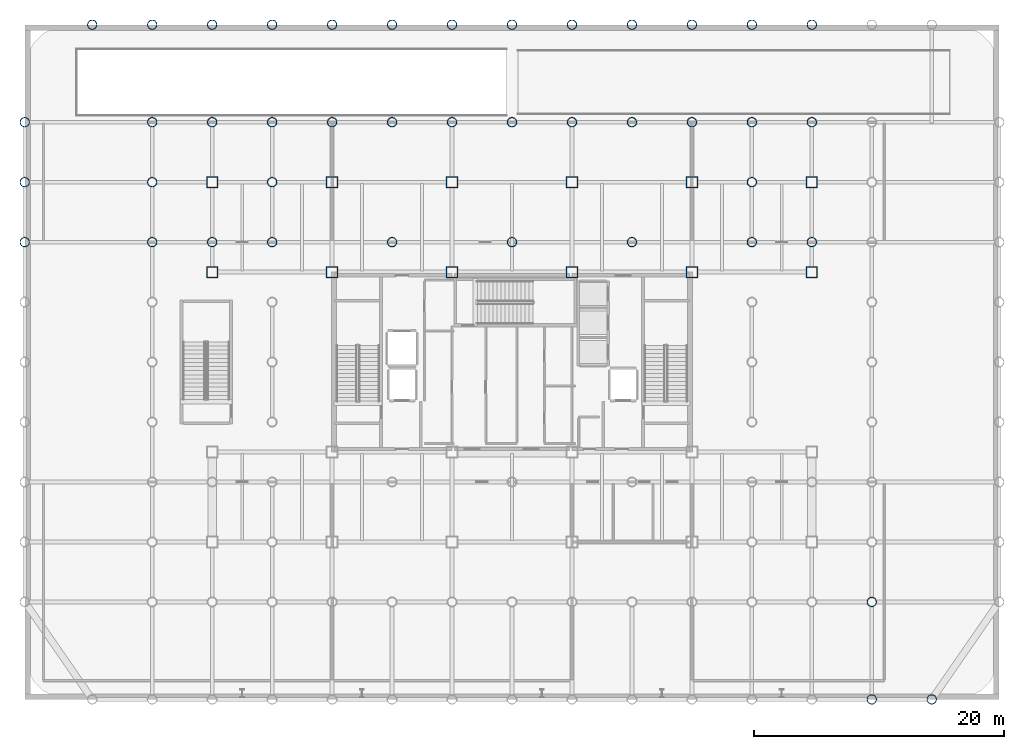
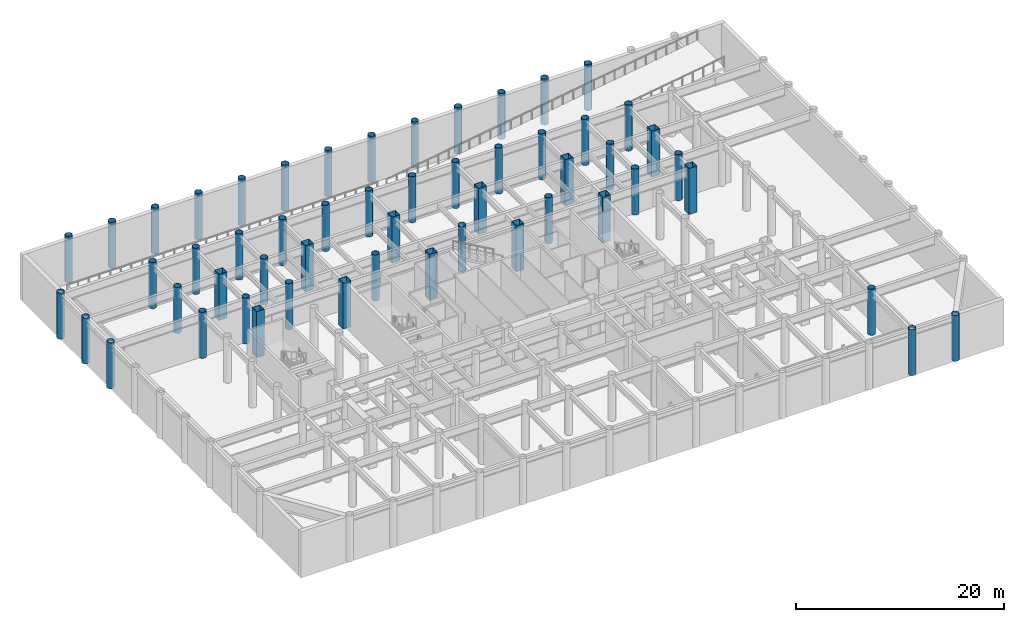
# One storey, part 3 of 16: 54 columns.
"""IFC4 building model written with IfcOpenShell, lengths in metres."""

from ifc_helpers import new_model, si_unit, direction, frame, origin, origin_2d, place, context, subcontext, project, spatial, hollow_rectangle, hollow_circle, extrude, material, material_profile, profile_set, type_object, element, save


model = new_model("IFC4")

# Units and contexts
model_context = context("Model", 3, precision=1e-05, world=origin(), true_north=direction((0.0, 1.0)))
body_context = subcontext(model_context, "Body", "Model", "MODEL_VIEW")
ifc_project = project(units=[si_unit("LENGTHUNIT", "METRE"), si_unit("AREAUNIT", "SQUARE_METRE"), si_unit("VOLUMEUNIT", "CUBIC_METRE"), si_unit("PLANEANGLEUNIT", "RADIAN"), si_unit("MASSUNIT", "GRAM", prefix="KILO")], contexts=[model_context])

# Site, building, storey
site_placement = place(None, origin())
site = spatial("IfcSite", under=ifc_project, at=site_placement, CompositionType="ELEMENT")
building_placement = place(site_placement, origin())
building = spatial("IfcBuilding", under=site, at=building_placement, Name="Kallvorn Hotel Tower", CompositionType="ELEMENT")
storey_placement = place(building_placement, frame((0.0, 0.0, -5.39990234375)))
storey = spatial("IfcBuildingStorey", under=building, at=storey_placement, Name="B1", CompositionType="ELEMENT", Elevation=-5.39990234375)

# Columns
ifc_material_1 = material(Name="Structural steel S355J2H", Category="steel")
ifc_material_profile_1 = material_profile(ifc_material_1, hollow_circle(Radius=0.381103515625, WallThickness=0.031982421875, at=origin_2d()), Name="CHS 762x32")
ifc_profile_set_1 = profile_set([ifc_material_profile_1], Name="Structural steel S355J2H")
column_type_1 = type_object("IfcColumnType", Name="COL_CHS_762", PredefinedType="COLUMN", material=ifc_profile_set_1)
for number, where, z_axis, x_axis, name in (
    (1, (-39.0, 9.60009765625, 0.0), (0.0, 0.0, 1.0), (1.0, 0.0, 0.0), "B1 Exoskeleton Column EC07"),
    (2, (-39.0, 14.39990234375, 0.0), (0.0, 0.0, 1.0), (1.0, 0.0, 0.0), "B1 Exoskeleton Column EC08"),
    (3, (-39.0, 19.199951171875, 0.0), (0.0, 0.0, 1.0), (1.0, 0.0, 0.0), "B1 Exoskeleton Column EC09"),
    (4, (-33.60009765625, 27.0, 0.0), (0.0, 0.0, 1.0), (1.0, 0.0, 0.0), "B1 Exoskeleton Column EC11"),
    (5, (-28.800048828125, 9.60009765625, 0.0), (0.0, 0.0, 1.0), (1.0, 0.0, 0.0), "B1 Exoskeleton Column EC19"),
    (6, (-28.800048828125, 14.39990234375, 0.0), (0.0, 0.0, 1.0), (1.0, 0.0, 0.0), "B1 Exoskeleton Column EC20"),
    (7, (-28.800048828125, 19.199951171875, 0.0), (0.0, 0.0, 1.0), (1.0, 0.0, 0.0), "B1 Exoskeleton Column EC21"),
    (8, (-28.800048828125, 27.0, 0.0), (0.0, 0.0, 1.0), (1.0, 0.0, 0.0), "B1 Exoskeleton Column EC22"),
    (9, (-24.0, 9.60009765625, 0.0), (0.0, 0.0, 1.0), (1.0, 0.0, 0.0), "B1 Exoskeleton Column EC26"),
    (10, (-24.0, 19.199951171875, 0.0), (0.0, 0.0, 1.0), (1.0, 0.0, 0.0), "B1 Exoskeleton Column EC27"),
    (11, (-24.0, 27.0, 0.0), (0.0, 0.0, 1.0), (1.0, 0.0, 0.0), "B1 Exoskeleton Column EC28"),
    (12, (-19.199951171875, 9.60009765625, 0.0), (0.0, 0.0, 1.0), (1.0, 0.0, 0.0), "B1 Exoskeleton Column EC36"),
    (13, (-19.199951171875, 14.39990234375, 0.0), (0.0, 0.0, 1.0), (1.0, 0.0, 0.0), "B1 Exoskeleton Column EC37"),
    (14, (-19.199951171875, 19.199951171875, 0.0), (0.0, 0.0, 1.0), (1.0, 0.0, 0.0), "B1 Exoskeleton Column EC38"),
    (15, (-19.199951171875, 27.0, 0.0), (0.0, 0.0, 1.0), (1.0, 0.0, 0.0), "B1 Exoskeleton Column EC39"),
    (16, (-14.39990234375, 19.199951171875, 0.0), (0.0, 0.0, 1.0), (1.0, 0.0, 0.0), "B1 Exoskeleton Column EC42"),
    (17, (-14.39990234375, 27.0, 0.0), (0.0, 0.0, 1.0), (1.0, 0.0, 0.0), "B1 Exoskeleton Column EC43"),
    (18, (-9.60009765625, 9.60009765625, 0.0), (0.0, 0.0, 1.0), (1.0, 0.0, 0.0), "B1 Exoskeleton Column EC47"),
    (19, (-9.60009765625, 19.199951171875, 0.0), (0.0, 0.0, 1.0), (1.0, 0.0, 0.0), "B1 Exoskeleton Column EC48"),
    (20, (-9.60009765625, 27.0, 0.0), (0.0, 0.0, 1.0), (1.0, 0.0, 0.0), "B1 Exoskeleton Column EC49"),
    (21, (-4.800048828125, 19.199951171875, 0.0), (0.0, 0.0, 1.0), (1.0, 0.0, 0.0), "B1 Exoskeleton Column EC52"),
    (22, (-4.800048828125, 27.0, 0.0), (0.0, 0.0, 1.0), (1.0, 0.0, 0.0), "B1 Exoskeleton Column EC53"),
    (23, (0.0, 9.60009765625, 0.0), (0.0, 0.0, 1.0), (1.0, 0.0, 0.0), "B1 Exoskeleton Column EC57"),
    (24, (0.0, 19.199951171875, 0.0), (0.0, 0.0, 1.0), (1.0, 0.0, 0.0), "B1 Exoskeleton Column EC58"),
    (25, (0.0, 27.0, 0.0), (0.0, 0.0, 1.0), (1.0, 0.0, 0.0), "B1 Exoskeleton Column EC59"),
    (26, (4.800048828125, 19.199951171875, 0.0), (0.0, 0.0, 1.0), (1.0, 0.0, 0.0), "B1 Exoskeleton Column EC62"),
    (27, (4.800048828125, 27.0, 0.0), (0.0, 0.0, 1.0), (1.0, 0.0, 0.0), "B1 Exoskeleton Column EC63"),
    (28, (9.60009765625, 9.60009765625, 0.0), (0.0, 0.0, 1.0), (1.0, 0.0, 0.0), "B1 Exoskeleton Column EC67"),
    (29, (9.60009765625, 19.199951171875, 0.0), (0.0, 0.0, 1.0), (1.0, 0.0, 0.0), "B1 Exoskeleton Column EC68"),
    (30, (9.60009765625, 27.0, 0.0), (0.0, 0.0, 1.0), (1.0, 0.0, 0.0), "B1 Exoskeleton Column EC69"),
    (31, (14.39990234375, 19.199951171875, 0.0), (0.0, 0.0, 1.0), (1.0, 0.0, 0.0), "B1 Exoskeleton Column EC72"),
    (32, (14.39990234375, 27.0, 0.0), (0.0, 0.0, 1.0), (1.0, 0.0, 0.0), "B1 Exoskeleton Column EC73"),
    (33, (19.199951171875, 9.60009765625, 0.0), (0.0, 0.0, 1.0), (1.0, 0.0, 0.0), "B1 Exoskeleton Column EC81"),
    (34, (19.199951171875, 14.39990234375, 0.0), (0.0, 0.0, 1.0), (1.0, 0.0, 0.0), "B1 Exoskeleton Column EC82"),
    (35, (19.199951171875, 19.199951171875, 0.0), (0.0, 0.0, 1.0), (1.0, 0.0, 0.0), "B1 Exoskeleton Column EC83"),
    (36, (19.199951171875, 27.0, 0.0), (0.0, 0.0, 1.0), (1.0, 0.0, 0.0), "B1 Exoskeleton Column EC84"),
    (37, (24.0, 9.60009765625, 0.0), (0.0, 0.0, 1.0), (1.0, 0.0, 0.0), "B1 Exoskeleton Column EC88"),
    (38, (24.0, 19.199951171875, 0.0), (0.0, 0.0, 1.0), (1.0, 0.0, 0.0), "B1 Exoskeleton Column EC89"),
    (39, (24.0, 27.0, 0.0), (0.0, 0.0, 1.0), (1.0, 0.0, 0.0), "B1 Exoskeleton Column EC90"),
    (40, (28.800048828125, -27.0, 0.0), (0.0, 0.0, 1.0), (1.0, 0.0, 0.0), "B1 Exoskeleton Column EC91"),
    (41, (28.800048828125, -19.199951171875, 0.0), (0.0, 0.0, 1.0), (1.0, 0.0, 0.0), "B1 Exoskeleton Column EC92"),
    (42, (33.60009765625, -27.0, 0.0), (0.0, 0.0, 1.0), (1.0, 0.0, 0.0), "B1 Exoskeleton Column EC102"),
):
    element("IfcColumn", number, at=place(storey_placement, frame(where, z_axis=z_axis, x_axis=x_axis)), inside=storey, type_object=column_type_1, Name=name, PredefinedType="COLUMN", context=body_context, shape_type="SweptSolid", body=[
        extrude(hollow_circle(Radius=0.381103515625, WallThickness=0.031982421875, at=origin_2d()), origin(), (0.0, 0.0, 1.0), 5.39990234375),
    ])
ifc_material_2 = material(Name="Structural steel S355J2H", Category="steel")
ifc_material_profile_2 = material_profile(ifc_material_2, hollow_rectangle(XDim=0.89990234375, YDim=0.89990234375, WallThickness=0.0400390625, at=origin_2d()), Name="RHS 900x900x40")
ifc_profile_set_2 = profile_set([ifc_material_profile_2], Name="Structural steel S355J2H")
column_type_2 = type_object("IfcColumnType", Name="COL_RHS_900", PredefinedType="COLUMN", material=ifc_profile_set_2)
for number, where, z_axis, x_axis, name in (
    (43, (-24.0, 7.199951171875, 0.0), (0.0, 0.0, 1.0), (1.0, 0.0, 0.0), "B1 Inner Column IC03"),
    (44, (-24.0, 14.39990234375, 0.0), (0.0, 0.0, 1.0), (1.0, 0.0, 0.0), "B1 Inner Column IC04"),
    (45, (-14.39990234375, 7.199951171875, 0.0), (0.0, 0.0, 1.0), (1.0, 0.0, 0.0), "B1 Inner Column IC07"),
    (46, (-14.39990234375, 14.39990234375, 0.0), (0.0, 0.0, 1.0), (1.0, 0.0, 0.0), "B1 Inner Column IC08"),
    (47, (-4.800048828125, 7.199951171875, 0.0), (0.0, 0.0, 1.0), (1.0, 0.0, 0.0), "B1 Inner Column IC11"),
    (48, (-4.800048828125, 14.39990234375, 0.0), (0.0, 0.0, 1.0), (1.0, 0.0, 0.0), "B1 Inner Column IC12"),
    (49, (4.800048828125, 7.199951171875, 0.0), (0.0, 0.0, 1.0), (1.0, 0.0, 0.0), "B1 Inner Column IC15"),
    (50, (4.800048828125, 14.39990234375, 0.0), (0.0, 0.0, 1.0), (1.0, 0.0, 0.0), "B1 Inner Column IC16"),
    (51, (14.39990234375, 7.199951171875, 0.0), (0.0, 0.0, 1.0), (1.0, 0.0, 0.0), "B1 Inner Column IC19"),
    (52, (14.39990234375, 14.39990234375, 0.0), (0.0, 0.0, 1.0), (1.0, 0.0, 0.0), "B1 Inner Column IC20"),
    (53, (24.0, 7.199951171875, 0.0), (0.0, 0.0, 1.0), (1.0, 0.0, 0.0), "B1 Inner Column IC23"),
    (54, (24.0, 14.39990234375, 0.0), (0.0, 0.0, 1.0), (1.0, 0.0, 0.0), "B1 Inner Column IC24"),
):
    element("IfcColumn", number, at=place(storey_placement, frame(where, z_axis=z_axis, x_axis=x_axis)), inside=storey, type_object=column_type_2, Name=name, PredefinedType="COLUMN", context=body_context, shape_type="SweptSolid", body=[
        extrude(hollow_rectangle(XDim=0.89990234375, YDim=0.89990234375, WallThickness=0.0400390625, at=origin_2d()), origin(), (0.0, 0.0, 1.0), 5.39990234375),
    ])

save(model, "model.ifc")
